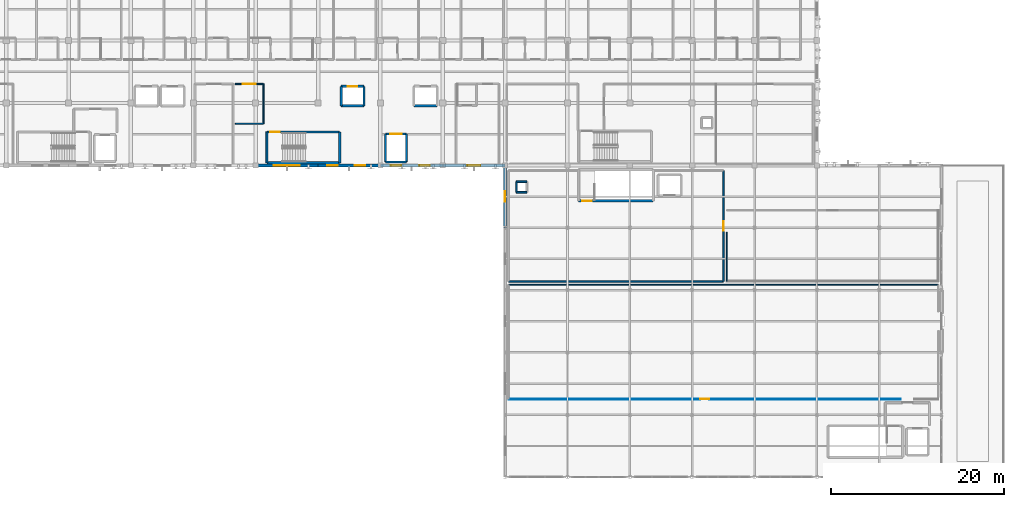
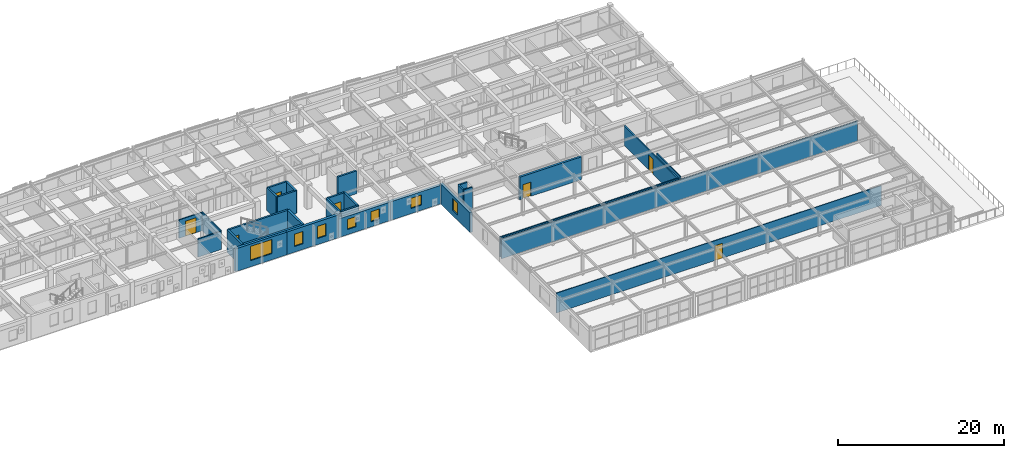
# One storey, part 62 of 73: 30 walls, 7 doors, 7 windows, 14 openings.
"""IFC4 building model written with IfcOpenShell, lengths in metres."""

import ifcopenshell
import ifcopenshell.guid

model = None  # the IFC model being written
_history = None  # IfcOwnerHistory: only IFC2X3 demands one
_inside = {}  # id of a spatial element -> (the spatial element, [elements in it])
_under = {}  # id of a project, library or spatial element -> (it, [spatial elements below it])
_declared = {}  # id of a project -> (the project, [libraries it declares])
_typed = {}  # id of a type object -> (the type object, [elements of that type])
_made_of = {}  # id of a material, layer set ... -> (it, [elements and type objects made of it])


def new_model(schema):
    """Start an empty IFC model of exactly this schema.

    Asked for "IFC4X3", IfcOpenShell would pick the latest addendum, in which some entities
    have other attributes; the version numbers below select the first issue.
    IFC2X3 requires an IfcOwnerHistory on every rooted entity: one is made here for all.
    """
    global model, _history
    if schema == "IFC4X3":
        model = ifcopenshell.file(schema_version=(4, 3, 0, 0))
    else:
        model = ifcopenshell.file(schema=schema)
    _inside.clear()
    _under.clear()
    _declared.clear()
    _typed.clear()
    _made_of.clear()
    _history = None
    if model.schema == "IFC2X3":
        org = make("IfcOrganization", Name="unknown")
        user = make(
            "IfcPersonAndOrganization",
            ThePerson=make("IfcPerson", FamilyName="unknown"),
            TheOrganization=org,
        )
        app = make(
            "IfcApplication",
            ApplicationDeveloper=org,
            Version="unknown",
            ApplicationFullName="unknown",
            ApplicationIdentifier="unknown",
        )
        _history = make(
            "IfcOwnerHistory",
            OwningUser=user,
            OwningApplication=app,
            ChangeAction="ADDED",
            CreationDate=0,
        )
    return model


def make(cls, **values):
    """One entity of the class cls with the attributes given. An attribute that is None is left unset."""
    return model.create_entity(
        cls, **{name: value for name, value in values.items() if value is not None}
    )


def rooted(cls, **values):
    """An entity with a GlobalId (a new one), such as an element, a storey or a relation."""
    return make(cls, GlobalId=ifcopenshell.guid.new(), OwnerHistory=_history, **values)


def si_unit(unit_type, name, prefix=None):
    """IfcSIUnit, for example si_unit("LENGTHUNIT", "METRE", prefix="MILLI")."""
    return make("IfcSIUnit", UnitType=unit_type, Prefix=prefix, Name=name)


def assignment(units):
    """IfcUnitAssignment: the units of a project."""
    return None if units is None else make("IfcUnitAssignment", Units=units)


def point(xyz):
    """IfcCartesianPoint."""
    return None if xyz is None else make("IfcCartesianPoint", Coordinates=xyz)


def direction(xyz):
    """IfcDirection."""
    return None if xyz is None else make("IfcDirection", DirectionRatios=xyz)


def frame(location, z_axis=None, x_axis=None):
    """IfcAxis2Placement3D, a coordinate frame: its origin and axes. An axis left out is left unset."""
    return make(
        "IfcAxis2Placement3D",
        Location=point(location),
        Axis=direction(z_axis),
        RefDirection=direction(x_axis),
    )


def frame_2d(location, x_axis=None):
    """IfcAxis2Placement2D, a coordinate frame in the plane: its origin and x axis."""
    return make(
        "IfcAxis2Placement2D", Location=point(location), RefDirection=direction(x_axis)
    )


def origin():
    """The frame at (0, 0, 0) with its axes left unset."""
    return frame((0.0, 0.0, 0.0))


def place(relative_to, where):
    """IfcLocalPlacement: puts the frame where relative to a parent placement (None: the world)."""
    return make(
        "IfcLocalPlacement", PlacementRelTo=relative_to, RelativePlacement=where
    )


def context(
    kind, dimensions, precision=None, world=None, true_north=None, identifier=None
):
    """IfcGeometricRepresentationContext, for example the 3D "Model" context."""
    return make(
        "IfcGeometricRepresentationContext",
        ContextIdentifier=identifier,
        ContextType=kind,
        CoordinateSpaceDimension=dimensions,
        Precision=precision,
        WorldCoordinateSystem=world,
        TrueNorth=true_north,
    )


def subcontext(parent, identifier, kind, view, scale=None):
    """IfcGeometricRepresentationSubContext, for example "Body" below "Model"."""
    return make(
        "IfcGeometricRepresentationSubContext",
        ContextIdentifier=identifier,
        ContextType=kind,
        ParentContext=parent,
        TargetScale=scale,
        TargetView=view,
    )


def project(units=None, contexts=None):
    """IfcProject with its units and contexts."""
    return rooted(
        "IfcProject",
        Name="project",
        RepresentationContexts=contexts,
        UnitsInContext=assignment(units),
    )


def spatial(cls, under=None, at=None, **own):
    """A site, building, storey or space (cls), placed at a placement, below another one or the project."""
    s = rooted(cls, ObjectPlacement=at, **own)
    if under is not None:
        _under.setdefault(under.id(), (under, []))[1].append(s)
    return s


def profile(cls, at=None, kind="AREA", **sizes):
    """A parametric profile (cls). Its sizes go by their IFC names, for example OverallWidth=200.0."""
    return make(cls, ProfileType=kind, Position=at, **sizes)


def rectangle(**sizes):
    """IfcRectangleProfileDef."""
    return profile("IfcRectangleProfileDef", **sizes)


def extrude(swept, where, along, depth):
    """IfcExtrudedAreaSolid: the profile swept, set in the frame where, extruded along a direction by depth."""
    return make(
        "IfcExtrudedAreaSolid",
        SweptArea=swept,
        Position=where,
        ExtrudedDirection=direction(along),
        Depth=depth,
    )


def shape(context_of_items, identifier, shape_type, items):
    """IfcShapeRepresentation: the items that make up one representation, for example the "Body"."""
    return make(
        "IfcShapeRepresentation",
        ContextOfItems=context_of_items,
        RepresentationIdentifier=identifier,
        RepresentationType=shape_type,
        Items=items,
    )


def material(Name=None, Category=None):
    """IfcMaterial."""
    return make("IfcMaterial", Name=Name, Category=Category)


def layer(
    of_material, thickness, ventilated=None, Name=None, Category=None, Priority=None
):
    """IfcMaterialLayer: one layer of a wall or slab, of a material (None: an air gap)."""
    return make(
        "IfcMaterialLayer",
        Material=of_material,
        LayerThickness=thickness,
        IsVentilated=ventilated,
        Name=Name,
        Category=Category,
        Priority=Priority,
    )


def layer_set(layers, Name=None):
    """IfcMaterialLayerSet."""
    return make("IfcMaterialLayerSet", MaterialLayers=layers, LayerSetName=Name)


def made_of(thing, what):
    """Note that an element or type object is made of a material, layer set ...; save() writes the relation."""
    if what is not None:
        _made_of.setdefault(what.id(), (what, []))[1].append(thing)
    return thing


def type_object(cls, material=None, **own):
    """A type object (cls), such as IfcWallType, which elements share."""
    return made_of(rooted(cls, **own), material)


def element(
    cls,
    number,
    at=None,
    inside=None,
    cuts=None,
    type_object=None,
    material=None,
    context=None,
    identifier="Body",
    shape_type=None,
    held_by="IfcProductDefinitionShape",
    body=None,
    shapes=None,
    **own,
):
    """One element of the class cls, such as IfcWall. Its Tag is "e" and its number.

    at: its placement. inside: the storey or other place that contains it. cuts: it is an
    opening in that element (IfcRelVoidsElement). A single representation is given by context,
    identifier, shape_type and body (its items); several are given by shapes. held_by: the class
    of the entity that holds the representations. save() writes the other relations.
    """
    e = rooted(cls, Tag="e%d" % number, ObjectPlacement=at, **own)
    if body is not None:
        shapes = [shape(context, identifier, shape_type, body)]
    if shapes is not None:
        e.Representation = make(held_by, Representations=shapes)
    if inside is not None:
        _inside.setdefault(inside.id(), (inside, []))[1].append(e)
    if cuts is not None:
        rooted(
            "IfcRelVoidsElement", RelatingBuildingElement=cuts, RelatedOpeningElement=e
        )
    if type_object is not None:
        _typed.setdefault(type_object.id(), (type_object, []))[1].append(e)
    return made_of(e, material)


def fill(opening, filler):
    """IfcRelFillsElement: the door or window that sits in an opening."""
    return rooted(
        "IfcRelFillsElement",
        RelatingOpeningElement=opening,
        RelatedBuildingElement=filler,
    )


def aggregate(whole, parts):
    """IfcRelAggregates: a whole, such as a stair, and the parts it consists of."""
    return rooted("IfcRelAggregates", RelatingObject=whole, RelatedObjects=parts)


def save(model, path):
    """Write the relations noted so far, then the file.

    IfcRelAggregates (storeys below a building ...), IfcRelContainedInSpatialStructure (elements
    in a storey), IfcRelDefinesByType, IfcRelAssociatesMaterial and IfcRelDeclares: one each for
    every whole, place, type object, material and project.
    """
    for whole, parts in _under.values():
        aggregate(whole, parts)
    for where, things in _inside.values():
        rooted(
            "IfcRelContainedInSpatialStructure",
            RelatedElements=things,
            RelatingStructure=where,
        )
    for kind, things in _typed.values():
        rooted("IfcRelDefinesByType", RelatedObjects=things, RelatingType=kind)
    for what, things in _made_of.values():
        rooted("IfcRelAssociatesMaterial", RelatedObjects=things, RelatingMaterial=what)
    for by, libraries in _declared.values():
        rooted("IfcRelDeclares", RelatingContext=by, RelatedDefinitions=libraries)
    model.write(path)


model = new_model("IFC4")

# Units and contexts
model_context = context("Model", 3, precision=1e-05, world=origin(), true_north=direction((0.0, 1.0)))
body_context = subcontext(model_context, "Body", "Model", "MODEL_VIEW")
ifc_project = project(units=[si_unit("LENGTHUNIT", "METRE"), si_unit("AREAUNIT", "SQUARE_METRE"), si_unit("VOLUMEUNIT", "CUBIC_METRE"), si_unit("PLANEANGLEUNIT", "RADIAN"), si_unit("MASSUNIT", "GRAM", prefix="KILO")], contexts=[model_context])

# Site, building, storey
site_placement = place(None, origin())
site = spatial("IfcSite", under=ifc_project, at=site_placement, CompositionType="ELEMENT")
building_placement = place(site_placement, origin())
building = spatial("IfcBuilding", under=site, at=building_placement, Name="Carrowvane Square Congress Hotel", CompositionType="ELEMENT")
storey_placement = place(building_placement, frame((0.0, 0.0, 19.199951171875)))
storey = spatial("IfcBuildingStorey", under=building, at=storey_placement, Name="L04", CompositionType="ELEMENT", Elevation=19.199951171875)

# Wall, opening, window
ifc_material_1 = material(Name="Glazed terracotta rainscreen", Category="masonry")
ifc_layer_1 = layer(ifc_material_1, 0.360107421875)
ifc_layer_set_1 = layer_set([ifc_layer_1], Name="Glazed terracotta rainscreen")
wall_type_1 = type_object("IfcWallType", Name="WL-EXT-TC360", PredefinedType="STANDARD", material=ifc_layer_set_1)
wall_1_placement = place(storey_placement, frame((126.800048828125, 84.60009765625, 0.0), z_axis=(0.0, 0.0, 1.0), x_axis=(0.0, 1.0, 0.0)))
wall_1 = element("IfcWall", 1, at=wall_1_placement, inside=storey, type_object=wall_type_1, Name="L04 exterior facade wall 437", PredefinedType="STANDARD", context=body_context, shape_type="SweptSolid", body=[
    extrude(rectangle(XDim=7.199951171875, YDim=0.360107421875, at=frame_2d((3.60009765625, 0.0))), origin(), (0.0, 0.0, 1.0), 2.925537109375),
])
opening_1_placement = place(wall_1_placement, frame((3.0, 0.0, 0.75)))
opening_1 = element("IfcOpeningElement", 2, at=opening_1_placement, cuts=wall_1, Name="Opening W-01", PredefinedType="OPENING", context=body_context, shape_type="SweptSolid", body=[
    extrude(rectangle(XDim=1.199951171875, YDim=1.800048828125, at=frame_2d((0.60009765625, 0.89990234375))), frame((0.0, 0.18994140625, 0.0), z_axis=(0.0, -1.0, 0.0), x_axis=(1.0, 0.0, 0.0)), (0.0, 0.0, 1.0), 0.380126953125),
])
ifc_material_2 = material(Name="Double-glazed low-E glass", Category="glass")
window_type_1 = type_object("IfcWindowType", Name="WIN-01", PartitioningType="SINGLE_PANEL", PredefinedType="WINDOW", material=ifc_material_2)
window_1_placement = place(opening_1_placement, origin())
window_1 = element("IfcWindow", 3, at=window_1_placement, inside=storey, type_object=window_type_1, Name="L04 facade window 264", OverallHeight=1.800048828125, OverallWidth=1.199951171875, PartitioningType="SINGLE_PANEL", PredefinedType="WINDOW", context=body_context, shape_type="SweptSolid", body=[
    extrude(rectangle(XDim=1.199951171875, YDim=1.800048828125, at=frame_2d((0.60009765625, 0.89990234375))), frame((0.0, 0.030029296875, 0.0), z_axis=(0.0, -1.0, 0.0), x_axis=(1.0, 0.0, 0.0)), (0.0, 0.0, 1.0), 0.06005859375),
])
fill(opening_1, window_1)

wall_2_placement = place(storey_placement, frame((126.800048828125, 91.800048828125, 0.0), z_axis=(0.0, 0.0, 1.0), x_axis=(-1.0, 0.0, 0.0)))
wall_2 = element("IfcWall", 4, at=wall_2_placement, inside=storey, type_object=wall_type_1, Name="L04 exterior facade wall 438", PredefinedType="STANDARD", context=body_context, shape_type="SweptSolid", body=[
    extrude(rectangle(XDim=7.199951171875, YDim=0.360107421875, at=frame_2d((3.60009765625, 0.0))), origin(), (0.0, 0.0, 1.0), 2.735107421875),
])
opening_2_placement = place(wall_2_placement, frame((2.85009765625, 0.0, 0.75)))
opening_2 = element("IfcOpeningElement", 5, at=opening_2_placement, cuts=wall_2, Name="Opening W-15", PredefinedType="OPENING", context=body_context, shape_type="SweptSolid", body=[
    extrude(rectangle(XDim=1.5, YDim=1.5, at=frame_2d((0.75, 0.75))), frame((0.0, 0.18994140625, 0.0), z_axis=(0.0, -1.0, 0.0), x_axis=(1.0, 0.0, 0.0)), (0.0, 0.0, 1.0), 0.380126953125),
])
ifc_material_3 = material(Name="Double-glazed low-E glass", Category="glass")
window_type_2 = type_object("IfcWindowType", Name="WIN-15", PartitioningType="SINGLE_PANEL", PredefinedType="WINDOW", material=ifc_material_3)
window_2_placement = place(opening_2_placement, origin())
window_2 = element("IfcWindow", 6, at=window_2_placement, inside=storey, type_object=window_type_2, Name="L04 facade window 265", OverallHeight=1.5, OverallWidth=1.5, PartitioningType="SINGLE_PANEL", PredefinedType="WINDOW", context=body_context, shape_type="SweptSolid", body=[
    extrude(rectangle(XDim=1.5, YDim=1.5, at=frame_2d((0.75, 0.75))), frame((0.0, 0.030029296875, 0.0), z_axis=(0.0, -1.0, 0.0), x_axis=(1.0, 0.0, 0.0)), (0.0, 0.0, 1.0), 0.06005859375),
])
fill(opening_2, window_2)

# Wall, openings, windows
wall_3_placement = place(storey_placement, frame((119.60009765625, 91.800048828125, 0.0), z_axis=(0.0, 0.0, 1.0), x_axis=(-1.0, 0.0, 0.0)))
wall_3 = element("IfcWall", 7, at=wall_3_placement, inside=storey, type_object=wall_type_1, Name="L04 exterior facade wall 439", PredefinedType="STANDARD", context=body_context, shape_type="SweptSolid", body=[
    extrude(rectangle(XDim=7.2001953125, YDim=0.360107421875, at=frame_2d((3.60009765625, 0.0))), origin(), (0.0, 0.0, 1.0), 2.735107421875),
])
opening_3_placement = place(wall_3_placement, frame((1.487548828125, 0.0, 0.75)))
opening_3 = element("IfcOpeningElement", 8, at=opening_3_placement, cuts=wall_3, Name="Opening W-01", PredefinedType="OPENING", context=body_context, shape_type="SweptSolid", body=[
    extrude(rectangle(XDim=1.199951171875, YDim=1.5, at=frame_2d((0.60009765625, 0.75))), frame((0.0, 0.18994140625, 0.0), z_axis=(0.0, -1.0, 0.0), x_axis=(1.0, 0.0, 0.0)), (0.0, 0.0, 1.0), 0.380126953125),
])
opening_4_placement = place(wall_3_placement, frame((4.800048828125, 0.0, 0.75)))
opening_4 = element("IfcOpeningElement", 9, at=opening_4_placement, cuts=wall_3, Name="Opening W-01", PredefinedType="OPENING", context=body_context, shape_type="SweptSolid", body=[
    extrude(rectangle(XDim=1.199951171875, YDim=1.5, at=frame_2d((0.60009765625, 0.75))), frame((0.0, 0.18994140625, 0.0), z_axis=(0.0, -1.0, 0.0), x_axis=(1.0, 0.0, 0.0)), (0.0, 0.0, 1.0), 0.380126953125),
])
window_3_placement = place(opening_3_placement, origin())
window_3 = element("IfcWindow", 10, at=window_3_placement, inside=storey, type_object=window_type_1, Name="L04 facade window 266", OverallHeight=1.5, OverallWidth=1.199951171875, PartitioningType="SINGLE_PANEL", PredefinedType="WINDOW", context=body_context, shape_type="SweptSolid", body=[
    extrude(rectangle(XDim=1.199951171875, YDim=1.5, at=frame_2d((0.60009765625, 0.75))), frame((0.0, 0.030029296875, 0.0), z_axis=(0.0, -1.0, 0.0), x_axis=(1.0, 0.0, 0.0)), (0.0, 0.0, 1.0), 0.06005859375),
])
fill(opening_3, window_3)
window_4_placement = place(opening_4_placement, origin())
window_4 = element("IfcWindow", 11, at=window_4_placement, inside=storey, type_object=window_type_1, Name="L04 split-bay facade window WIN-L04-0266-1", OverallHeight=1.5, OverallWidth=1.199951171875, PartitioningType="SINGLE_PANEL", PredefinedType="WINDOW", context=body_context, shape_type="SweptSolid", body=[
    extrude(rectangle(XDim=1.199951171875, YDim=1.5, at=frame_2d((0.60009765625, 0.75))), frame((0.0, 0.030029296875, 0.0), z_axis=(0.0, -1.0, 0.0), x_axis=(1.0, 0.0, 0.0)), (0.0, 0.0, 1.0), 0.06005859375),
])
fill(opening_4, window_4)

wall_4_placement = place(storey_placement, frame((112.39990234375, 91.800048828125, 0.0), z_axis=(0.0, 0.0, 1.0), x_axis=(-1.0, 0.0, 0.0)))
wall_4 = element("IfcWall", 12, at=wall_4_placement, inside=storey, type_object=wall_type_1, Name="L04 exterior facade wall 440", PredefinedType="STANDARD", context=body_context, shape_type="SweptSolid", body=[
    extrude(rectangle(XDim=7.199951171875, YDim=0.360107421875, at=frame_2d((3.60009765625, 0.0))), origin(), (0.0, 0.0, 1.0), 3.35009765625),
])
opening_5_placement = place(wall_4_placement, frame((1.75, 0.0, 0.89990234375)))
opening_5 = element("IfcOpeningElement", 13, at=opening_5_placement, cuts=wall_4, Name="Opening W-01", PredefinedType="OPENING", context=body_context, shape_type="SweptSolid", body=[
    extrude(rectangle(XDim=1.199951171875, YDim=1.800048828125, at=frame_2d((0.60009765625, 0.89990234375))), frame((0.0, 0.18994140625, 0.0), z_axis=(0.0, -1.0, 0.0), x_axis=(1.0, 0.0, 0.0)), (0.0, 0.0, 1.0), 0.380126953125),
])
opening_6_placement = place(wall_4_placement, frame((4.949951171875, 0.0, 0.85009765625)))
opening_6 = element("IfcOpeningElement", 14, at=opening_6_placement, cuts=wall_4, Name="Opening W-01", PredefinedType="OPENING", context=body_context, shape_type="SweptSolid", body=[
    extrude(rectangle(XDim=1.199951171875, YDim=1.800048828125, at=frame_2d((0.60009765625, 0.89990234375))), frame((0.0, 0.18994140625, 0.0), z_axis=(0.0, -1.0, 0.0), x_axis=(1.0, 0.0, 0.0)), (0.0, 0.0, 1.0), 0.380126953125),
])
window_5_placement = place(opening_5_placement, origin())
window_5 = element("IfcWindow", 15, at=window_5_placement, inside=storey, type_object=window_type_1, Name="L04 facade window 267", OverallHeight=1.800048828125, OverallWidth=1.199951171875, PartitioningType="SINGLE_PANEL", PredefinedType="WINDOW", context=body_context, shape_type="SweptSolid", body=[
    extrude(rectangle(XDim=1.199951171875, YDim=1.800048828125, at=frame_2d((0.60009765625, 0.89990234375))), frame((0.0, 0.030029296875, 0.0), z_axis=(0.0, -1.0, 0.0), x_axis=(1.0, 0.0, 0.0)), (0.0, 0.0, 1.0), 0.06005859375),
])
fill(opening_5, window_5)
window_6_placement = place(opening_6_placement, origin())
window_6 = element("IfcWindow", 16, at=window_6_placement, inside=storey, type_object=window_type_1, Name="L04 guest bedroom window 268", OverallHeight=1.800048828125, OverallWidth=1.199951171875, PartitioningType="SINGLE_PANEL", PredefinedType="WINDOW", context=body_context, shape_type="SweptSolid", body=[
    extrude(rectangle(XDim=1.199951171875, YDim=1.800048828125, at=frame_2d((0.60009765625, 0.89990234375))), frame((0.0, 0.030029296875, 0.0), z_axis=(0.0, -1.0, 0.0), x_axis=(1.0, 0.0, 0.0)), (0.0, 0.0, 1.0), 0.06005859375),
])
fill(opening_6, window_6)

# Wall, opening, window
wall_5_placement = place(storey_placement, frame((105.199951171875, 91.800048828125, 0.0), z_axis=(0.0, 0.0, 1.0), x_axis=(-1.0, 0.0, 0.0)))
wall_5 = element("IfcWall", 17, at=wall_5_placement, inside=storey, type_object=wall_type_1, Name="L04 exterior facade wall 441", PredefinedType="STANDARD", context=body_context, shape_type="SweptSolid", body=[
    extrude(rectangle(XDim=7.199951171875, YDim=0.360107421875, at=frame_2d((3.60009765625, 0.0))), origin(), (0.0, 0.0, 1.0), 3.35009765625),
])
opening_7_placement = place(wall_5_placement, frame((2.10009765625, 0.0, 0.89990234375)))
opening_7 = element("IfcOpeningElement", 18, at=opening_7_placement, cuts=wall_5, Name="Opening W-14", PredefinedType="OPENING", context=body_context, shape_type="SweptSolid", body=[
    extrude(rectangle(XDim=3.0, YDim=2.10009765625, at=frame_2d((1.5, 1.050048828125))), frame((0.0, 0.18994140625, 0.0), z_axis=(0.0, -1.0, 0.0), x_axis=(1.0, 0.0, 0.0)), (0.0, 0.0, 1.0), 0.380126953125),
])
ifc_material_4 = material(Name="Double-glazed low-E glass", Category="glass")
window_type_3 = type_object("IfcWindowType", Name="WIN-14", PartitioningType="SINGLE_PANEL", PredefinedType="WINDOW", material=ifc_material_4)
window_7_placement = place(opening_7_placement, origin())
window_7 = element("IfcWindow", 19, at=window_7_placement, inside=storey, type_object=window_type_3, Name="L04 facade window 269", OverallHeight=2.10009765625, OverallWidth=3.0, PartitioningType="SINGLE_PANEL", PredefinedType="WINDOW", context=body_context, shape_type="SweptSolid", body=[
    extrude(rectangle(XDim=3.0, YDim=2.10009765625, at=frame_2d((1.5, 1.050048828125))), frame((0.0, 0.030029296875, 0.0), z_axis=(0.0, -1.0, 0.0), x_axis=(1.0, 0.0, 0.0)), (0.0, 0.0, 1.0), 0.06005859375),
])
fill(opening_7, window_7)

# Wall, opening, door
ifc_material_5 = material(Name="Acoustic gypsum board", Category="gypsum")
ifc_layer_2 = layer(ifc_material_5, 0.155029296875)
ifc_layer_set_2 = layer_set([ifc_layer_2], Name="Acoustic gypsum board")
wall_type_2 = type_object("IfcWallType", Name="WL-FIR-155", PredefinedType="PARTITIONING", material=ifc_layer_set_2)
wall_6_placement = place(storey_placement, frame((95.64990234375, 101.199951171875, 0.0), z_axis=(0.0, 0.0, 1.0), x_axis=(1.0, 0.0, 0.0)))
wall_6 = element("IfcWall", 20, at=wall_6_placement, inside=storey, type_object=wall_type_2, Name="L04 L04 Accessible Guest WC partition", PredefinedType="PARTITIONING", context=body_context, shape_type="SweptSolid", body=[
    extrude(rectangle(XDim=3.25, YDim=0.155029296875, at=frame_2d((1.625, 0.0))), origin(), (0.0, 0.0, 1.0), 2.68505859375),
])
opening_8_placement = place(wall_6_placement, frame((0.875, 0.0, 0.0)))
opening_8 = element("IfcOpeningElement", 21, at=opening_8_placement, cuts=wall_6, Name="Opening ID-11", PredefinedType="OPENING", context=body_context, shape_type="SweptSolid", body=[
    extrude(rectangle(XDim=1.5, YDim=2.199951171875, at=frame_2d((0.75, 1.10009765625))), frame((0.0, 0.08740234375, 0.0), z_axis=(0.0, -1.0, 0.0), x_axis=(1.0, 0.0, 0.0)), (0.0, 0.0, 1.0), 0.175048828125),
])
ifc_material_6 = material(Name="European oak timber", Category="wood")
door_type_1 = type_object("IfcDoorType", Name="DR-INT-1500x2200", OperationType="DOUBLE_DOOR_SINGLE_SWING", PredefinedType="DOOR", material=ifc_material_6)
door_1_placement = place(opening_8_placement, origin())
door_1 = element("IfcDoor", 22, at=door_1_placement, inside=storey, type_object=door_type_1, Name="L04 L04 Accessible Guest WC entrance door", OperationType="DOUBLE_DOOR_SINGLE_SWING", OverallHeight=2.199951171875, OverallWidth=1.5, PredefinedType="DOOR", context=body_context, shape_type="SweptSolid", body=[
    extrude(rectangle(XDim=1.5, YDim=2.199951171875, at=frame_2d((0.75, 1.10009765625))), frame((0.0, 0.02490234375, 0.0), z_axis=(0.0, -1.0, 0.0), x_axis=(1.0, 0.0, 0.0)), (0.0, 0.0, 1.0), 0.050048828125),
])
fill(opening_8, door_1)

# Wall
ifc_material_7 = material(Name="Acoustic gypsum board", Category="gypsum")
ifc_layer_3 = layer(ifc_material_7, 0.169921875)
ifc_layer_set_3 = layer_set([ifc_layer_3], Name="Acoustic gypsum board")
wall_type_3 = type_object("IfcWallType", Name="WL-FIR-170", PredefinedType="PARTITIONING", material=ifc_layer_set_3)
wall_7_placement = place(storey_placement, frame((152.0, 78.39990234375, 0.0), z_axis=(0.0, 0.0, 1.0), x_axis=(-1.0, 0.0, 0.0)))
element("IfcWall", 23, at=wall_7_placement, inside=storey, type_object=wall_type_3, Name="L04 Sky Bar Tapas Kitchen and Cellar partition", PredefinedType="PARTITIONING", context=body_context, shape_type="SweptSolid", body=[
    extrude(rectangle(XDim=24.800048828125, YDim=0.169921875, at=frame_2d((12.39990234375, 0.0))), origin(), (0.0, 0.0, 1.0), 2.925537109375),
])

# Wall, opening, door
ifc_material_8 = material(Name="Acoustic gypsum board", Category="gypsum")
ifc_layer_4 = layer(ifc_material_8, 0.18505859375)
ifc_layer_set_4 = layer_set([ifc_layer_4], Name="Acoustic gypsum board")
wall_type_4 = type_object("IfcWallType", Name="WL-FIR-185", PredefinedType="PARTITIONING", material=ifc_layer_set_4)
wall_8_placement = place(storey_placement, frame((152.0, 91.199951171875, 0.0), z_axis=(0.0, 0.0, 1.0), x_axis=(0.0, -1.0, 0.0)))
wall_8 = element("IfcWall", 24, at=wall_8_placement, inside=storey, type_object=wall_type_4, Name="L04 Sky Bar Tapas Kitchen and Cellar partition", PredefinedType="PARTITIONING", context=body_context, shape_type="SweptSolid", body=[
    extrude(rectangle(XDim=12.800048828125, YDim=0.18505859375, at=frame_2d((6.39990234375, 0.0))), origin(), (0.0, 0.0, 1.0), 2.925537109375),
])
opening_9_placement = place(wall_8_placement, frame((5.85009765625, 0.0, 0.0)))
opening_9 = element("IfcOpeningElement", 25, at=opening_9_placement, cuts=wall_8, Name="Opening ID-22", PredefinedType="OPENING", context=body_context, shape_type="SweptSolid", body=[
    extrude(rectangle(XDim=1.10009765625, YDim=2.179931640625, at=frame_2d((0.550048828125, 1.08984375))), frame((0.0, 0.1025390625, 0.0), z_axis=(0.0, -1.0, 0.0), x_axis=(1.0, 0.0, 0.0)), (0.0, 0.0, 1.0), 0.205078125),
])
ifc_material_9 = material(Name="European oak timber", Category="wood")
door_type_2 = type_object("IfcDoorType", Name="DR-INT-1100x2180", OperationType="NOTDEFINED", PredefinedType="DOOR", material=ifc_material_9)
door_2_placement = place(opening_9_placement, origin())
door_2 = element("IfcDoor", 26, at=door_2_placement, inside=storey, type_object=door_type_2, Name="L04 Sky Bar Tapas Kitchen and Cellar entrance door", OperationType="SINGLE_SWING_RIGHT", OverallHeight=2.179931640625, OverallWidth=1.10009765625, PredefinedType="DOOR", context=body_context, shape_type="SweptSolid", body=[
    extrude(rectangle(XDim=1.10009765625, YDim=2.179931640625, at=frame_2d((0.550048828125, 1.08984375))), frame((0.0, 0.02490234375, 0.0), z_axis=(0.0, -1.0, 0.0), x_axis=(1.0, 0.0, 0.0)), (0.0, 0.0, 1.0), 0.050048828125),
])
fill(opening_9, door_2)

# Walls
ifc_material_10 = material(Name="Standing-seam zinc cladding", Category="metal")
ifc_layer_5 = layer(ifc_material_10, 0.195068359375)
ifc_layer_set_5 = layer_set([ifc_layer_5], Name="Standing-seam zinc cladding")
wall_type_5 = type_object("IfcWallType", Name="WL-PAR-195", PredefinedType="PARAPET", material=ifc_layer_set_5)
for number, where, z_axis, x_axis, name in (
    (27, (128.10009765625, 88.699951171875, 0.0), (0.0, 0.0, 1.0), (1.0, 0.0, 0.0), "L04 service riser RSR-V3 enclosure S"),
    (28, (129.300048828125, 89.89990234375, 0.0), (0.0, 0.0, 1.0), (-1.0, 0.0, 0.0), "L04 service riser RSR-V3 enclosure N"),
    (29, (128.10009765625, 89.89990234375, 0.0), (0.0, 0.0, 1.0), (0.0, -1.0, 0.0), "L04 service riser RSR-V3 enclosure W"),
):
    element("IfcWall", number, at=place(storey_placement, frame(where, z_axis=z_axis, x_axis=x_axis)), inside=storey, type_object=wall_type_5, Name=name, PredefinedType="PARAPET", context=body_context, shape_type="SweptSolid", body=[
        extrude(rectangle(XDim=1.199951171875, YDim=0.195068359375, at=frame_2d((0.60009765625, 0.0))), origin(), (0.0, 0.0, 1.0), 3.35009765625),
    ])

# Wall, opening, door
ifc_material_11 = material(Name="Acoustic gypsum board", Category="gypsum")
ifc_layer_6 = layer(ifc_material_11, 0.097900390625)
ifc_layer_set_6 = layer_set([ifc_layer_6], Name="Acoustic gypsum board")
wall_type_6 = type_object("IfcWallType", Name="WL-PRT-098", PredefinedType="PARTITIONING", material=ifc_layer_set_6)
wall_9_placement = place(storey_placement, frame((172.469970703125, 64.800048828125, 0.0), z_axis=(0.0, 0.0, 1.0), x_axis=(-1.0, 0.0, 0.0)))
wall_9 = element("IfcWall", 30, at=wall_9_placement, inside=storey, type_object=wall_type_6, Name="L04 Carrowvane Rooftop Sky Bar and Lounge partition", PredefinedType="PARTITIONING", context=body_context, shape_type="SweptSolid", body=[
    extrude(rectangle(XDim=45.27001953125, YDim=0.097900390625, at=frame_2d((22.635009765625, 0.0))), origin(), (0.0, 0.0, 1.0), 2.925537109375),
])
opening_10_placement = place(wall_9_placement, frame((22.110107421875, 0.0, 0.0)))
opening_10 = element("IfcOpeningElement", 31, at=opening_10_placement, cuts=wall_9, Name="Opening ID-21", PredefinedType="OPENING", context=body_context, shape_type="SweptSolid", body=[
    extrude(rectangle(XDim=1.050048828125, YDim=2.179931640625, at=frame_2d((0.52490234375, 1.08984375))), frame((0.0, 0.058837890625, 0.0), z_axis=(0.0, -1.0, 0.0), x_axis=(1.0, 0.0, 0.0)), (0.0, 0.0, 1.0), 0.117919921875),
])
ifc_material_12 = material(Name="European oak timber", Category="wood")
door_type_3 = type_object("IfcDoorType", Name="DR-INT-1050x2180", OperationType="NOTDEFINED", PredefinedType="DOOR", material=ifc_material_12)
door_3_placement = place(opening_10_placement, origin())
door_3 = element("IfcDoor", 32, at=door_3_placement, inside=storey, type_object=door_type_3, Name="L04 Carrowvane Rooftop Sky Bar and Lounge entrance door", OperationType="SINGLE_SWING_LEFT", OverallHeight=2.179931640625, OverallWidth=1.050048828125, PredefinedType="DOOR", context=body_context, shape_type="SweptSolid", body=[
    extrude(rectangle(XDim=1.050048828125, YDim=2.179931640625, at=frame_2d((0.52490234375, 1.08984375))), frame((0.0, 0.02490234375, 0.0), z_axis=(0.0, -1.0, 0.0), x_axis=(1.0, 0.0, 0.0)), (0.0, 0.0, 1.0), 0.050048828125),
])
fill(opening_10, door_3)

# Walls
ifc_material_13 = material(Name="Acoustic gypsum board", Category="gypsum")
ifc_layer_7 = layer(ifc_material_13, 0.1279296875)
ifc_layer_set_7 = layer_set([ifc_layer_7], Name="Acoustic gypsum board")
wall_type_7 = type_object("IfcWallType", Name="WL-PRT-128", PredefinedType="PARTITIONING", material=ifc_layer_set_7)
wall_10_placement = place(storey_placement, frame((152.39990234375, 78.39990234375, 0.0), z_axis=(0.0, 0.0, 1.0), x_axis=(0.0, 1.0, 0.0)))
element("IfcWall", 33, at=wall_10_placement, inside=storey, type_object=wall_type_7, Name="L04 Sky Bar Public and Accessible Toilets partition", PredefinedType="PARTITIONING", context=body_context, shape_type="SweptSolid", body=[
    extrude(rectangle(XDim=5.670166015625, YDim=0.1279296875, at=frame_2d((2.8349609375, 0.0))), origin(), (0.0, 0.0, 1.0), 3.028564453125),
])
ifc_material_14 = material(Name="Acoustic gypsum board", Category="gypsum")
ifc_layer_8 = layer(ifc_material_14, 0.137939453125)
ifc_layer_set_8 = layer_set([ifc_layer_8], Name="Acoustic gypsum board")
wall_type_8 = type_object("IfcWallType", Name="WL-PRT-138", PredefinedType="PARTITIONING", material=ifc_layer_set_8)
wall_11_placement = place(storey_placement, frame((98.89990234375, 96.60009765625, 0.0), z_axis=(0.0, 0.0, 1.0), x_axis=(-1.0, 0.0, 0.0)))
element("IfcWall", 34, at=wall_11_placement, inside=storey, type_object=wall_type_8, Name="L04 L04 Accessible Guest WC partition", PredefinedType="PARTITIONING", context=body_context, shape_type="SweptSolid", body=[
    extrude(rectangle(XDim=3.25, YDim=0.137939453125, at=frame_2d((1.625, 0.0))), origin(), (0.0, 0.0, 1.0), 2.68505859375),
])
wall_12_placement = place(storey_placement, frame((127.199951171875, 78.0, 0.0), z_axis=(0.0, 0.0, 1.0), x_axis=(1.0, 0.0, 0.0)))
element("IfcWall", 35, at=wall_12_placement, inside=storey, type_object=wall_type_8, Name="L04 Carrowvane Rooftop Sky Bar and Lounge partition", PredefinedType="PARTITIONING", context=body_context, shape_type="SweptSolid", body=[
    extrude(rectangle(XDim=49.60009765625, YDim=0.137939453125, at=frame_2d((24.800048828125, 0.0))), origin(), (0.0, 0.0, 1.0), 2.925537109375),
])
ifc_material_15 = material(Name="Acoustic gypsum board", Category="gypsum")
ifc_layer_9 = layer(ifc_material_15, 0.14794921875)
ifc_layer_set_9 = layer_set([ifc_layer_9], Name="Acoustic gypsum board")
wall_type_9 = type_object("IfcWallType", Name="WL-PRT-148", PredefinedType="PARTITIONING", material=ifc_layer_set_9)
wall_13_placement = place(storey_placement, frame((98.89990234375, 101.199951171875, 0.0), z_axis=(0.0, 0.0, 1.0), x_axis=(0.0, -1.0, 0.0)))
element("IfcWall", 36, at=wall_13_placement, inside=storey, type_object=wall_type_9, Name="L04 L04 Accessible Guest WC partition", PredefinedType="PARTITIONING", context=body_context, shape_type="SweptSolid", body=[
    extrude(rectangle(XDim=4.599853515625, YDim=0.14794921875, at=frame_2d((2.2998046875, 0.0))), origin(), (0.0, 0.0, 1.0), 2.735107421875),
])
ifc_material_16 = material(Name="Concrete C40/50", Category="concrete")
ifc_layer_10 = layer(ifc_material_16, 0.22509765625)
ifc_layer_set_10 = layer_set([ifc_layer_10], Name="Concrete C40/50")
wall_type_10 = type_object("IfcWallType", Name="WL-SHR-225", PredefinedType="SHEAR", material=ifc_layer_set_10)
wall_14_placement = place(storey_placement, frame((99.300048828125, 95.659912109375, 0.0), z_axis=(0.0, 0.0, 1.0), x_axis=(0.0, -1.0, 0.0)))
element("IfcWall", 37, at=wall_14_placement, inside=storey, type_object=wall_type_10, Name="L04 ST3 core wall west", PredefinedType="SHEAR", context=body_context, shape_type="SweptSolid", body=[
    extrude(rectangle(XDim=3.559814453125, YDim=0.22509765625, at=frame_2d((1.77978515625, 0.0))), origin(), (0.0, 0.0, 1.0), 3.35009765625),
])

# Wall, opening, door
ifc_material_17 = material(Name="Concrete C40/50", Category="concrete")
ifc_layer_11 = layer(ifc_material_17, 0.25)
ifc_layer_set_11 = layer_set([ifc_layer_11], Name="Concrete C40/50")
wall_type_11 = type_object("IfcWallType", Name="WL-SHR-250", PredefinedType="SHEAR", material=ifc_layer_set_11)
wall_15_placement = place(storey_placement, frame((107.699951171875, 95.659912109375, 0.0), z_axis=(0.0, 0.0, 1.0), x_axis=(-1.0, 0.0, 0.0)))
wall_15 = element("IfcWall", 38, at=wall_15_placement, inside=storey, type_object=wall_type_11, Name="L04 ST3 core wall north", PredefinedType="SHEAR", context=body_context, shape_type="SweptSolid", body=[
    extrude(rectangle(XDim=8.39990234375, YDim=0.25, at=frame_2d((4.199951171875, 0.0))), origin(), (0.0, 0.0, 1.0), 3.35009765625),
])
opening_11_placement = place(wall_15_placement, frame((6.909912109375, 0.0, 0.0)))
opening_11 = element("IfcOpeningElement", 39, at=opening_11_placement, cuts=wall_15, Name="Opening FD-01", PredefinedType="OPENING", context=body_context, shape_type="SweptSolid", body=[
    extrude(rectangle(XDim=1.10009765625, YDim=2.10009765625, at=frame_2d((0.550048828125, 1.050048828125))), frame((0.0, 0.135009765625, 0.0), z_axis=(0.0, -1.0, 0.0), x_axis=(1.0, 0.0, 0.0)), (0.0, 0.0, 1.0), 0.27001953125),
])
ifc_material_18 = material(Name="European oak timber", Category="wood")
door_type_4 = type_object("IfcDoorType", Name="DR-FD60-1100x2100", OperationType="NOTDEFINED", PredefinedType="DOOR", material=ifc_material_18)
door_4_placement = place(opening_11_placement, origin())
door_4 = element("IfcDoor", 40, at=door_4_placement, inside=storey, type_object=door_type_4, Name="L04 ST3 fire door", OperationType="SINGLE_SWING_RIGHT", OverallHeight=2.10009765625, OverallWidth=1.10009765625, PredefinedType="DOOR", context=body_context, shape_type="SweptSolid", body=[
    extrude(rectangle(XDim=1.10009765625, YDim=2.10009765625, at=frame_2d((0.550048828125, 1.050048828125))), frame((0.0, 0.02490234375, 0.0), z_axis=(0.0, -1.0, 0.0), x_axis=(1.0, 0.0, 0.0)), (0.0, 0.0, 1.0), 0.050048828125),
])
fill(opening_11, door_4)

# Walls
wall_16_placement = place(storey_placement, frame((107.875, 98.675048828125, 0.0), z_axis=(0.0, 0.0, 1.0), x_axis=(1.0, 0.0, 0.0)))
element("IfcWall", 41, at=wall_16_placement, inside=storey, type_object=wall_type_11, Name="L04 HL-3 shaft wall south", PredefinedType="SHEAR", context=body_context, shape_type="SweptSolid", body=[
    extrude(rectangle(XDim=2.64990234375, YDim=0.25, at=frame_2d((1.324951171875, 0.0))), origin(), (0.0, 0.0, 1.0), 3.35009765625),
])
wall_17_placement = place(storey_placement, frame((110.52490234375, 98.675048828125, 0.0), z_axis=(0.0, 0.0, 1.0), x_axis=(0.0, 1.0, 0.0)))
element("IfcWall", 42, at=wall_17_placement, inside=storey, type_object=wall_type_11, Name="L04 HL-3 shaft wall east", PredefinedType="SHEAR", context=body_context, shape_type="SweptSolid", body=[
    extrude(rectangle(XDim=2.25, YDim=0.25, at=frame_2d((1.125, 0.0))), origin(), (0.0, 0.0, 1.0), 3.35009765625),
])

# Wall, opening, door
wall_18_placement = place(storey_placement, frame((110.52490234375, 100.925048828125, 0.0), z_axis=(0.0, 0.0, 1.0), x_axis=(-1.0, 0.0, 0.0)))
wall_18 = element("IfcWall", 43, at=wall_18_placement, inside=storey, type_object=wall_type_11, Name="L04 HL-3 shaft wall north", PredefinedType="SHEAR", context=body_context, shape_type="SweptSolid", body=[
    extrude(rectangle(XDim=2.64990234375, YDim=0.25, at=frame_2d((1.324951171875, 0.0))), origin(), (0.0, 0.0, 1.0), 3.35009765625),
])
opening_12_placement = place(wall_18_placement, frame((0.77490234375, 0.0, 0.0)))
opening_12 = element("IfcOpeningElement", 44, at=opening_12_placement, cuts=wall_18, Name="Opening LD-HL-3", PredefinedType="OPENING", context=body_context, shape_type="SweptSolid", body=[
    extrude(rectangle(XDim=1.10009765625, YDim=2.14990234375, at=frame_2d((0.550048828125, 1.074951171875))), frame((0.0, 0.135009765625, 0.0), z_axis=(0.0, -1.0, 0.0), x_axis=(1.0, 0.0, 0.0)), (0.0, 0.0, 1.0), 0.27001953125),
])
ifc_material_19 = material(Name="Stainless steel 316", Category="steel")
door_type_5 = type_object("IfcDoorType", Name="DR-LD-1100x2150", OperationType="DOUBLE_DOOR_SLIDING", PredefinedType="DOOR", material=ifc_material_19)
door_5_placement = place(opening_12_placement, origin())
door_5 = element("IfcDoor", 45, at=door_5_placement, inside=storey, type_object=door_type_5, Name="L04 HL-3 sliding lift landing door", OperationType="DOUBLE_DOOR_SLIDING", OverallHeight=2.14990234375, OverallWidth=1.10009765625, PredefinedType="DOOR", context=body_context, shape_type="SweptSolid", body=[
    extrude(rectangle(XDim=1.10009765625, YDim=2.14990234375, at=frame_2d((0.550048828125, 1.074951171875))), frame((0.0, 0.02490234375, 0.0), z_axis=(0.0, -1.0, 0.0), x_axis=(1.0, 0.0, 0.0)), (0.0, 0.0, 1.0), 0.050048828125),
])
fill(opening_12, door_5)

# Walls
wall_19_placement = place(storey_placement, frame((107.875, 100.925048828125, 0.0), z_axis=(0.0, 0.0, 1.0), x_axis=(0.0, -1.0, 0.0)))
element("IfcWall", 46, at=wall_19_placement, inside=storey, type_object=wall_type_11, Name="L04 HL-3 shaft wall west", PredefinedType="SHEAR", context=body_context, shape_type="SweptSolid", body=[
    extrude(rectangle(XDim=2.25, YDim=0.25, at=frame_2d((1.125, 0.0))), origin(), (0.0, 0.0, 1.0), 3.35009765625),
])
wall_20_placement = place(storey_placement, frame((116.27490234375, 98.675048828125, 0.0), z_axis=(0.0, 0.0, 1.0), x_axis=(1.0, 0.0, 0.0)))
element("IfcWall", 47, at=wall_20_placement, inside=storey, type_object=wall_type_11, Name="L04 HL-4 shaft wall south", PredefinedType="SHEAR", context=body_context, shape_type="SweptSolid", body=[
    extrude(rectangle(XDim=2.650146484375, YDim=0.25, at=frame_2d((1.3251953125, 0.0))), origin(), (0.0, 0.0, 1.0), 3.35009765625),
])
wall_21_placement = place(storey_placement, frame((112.97509765625, 92.175048828125, 0.0), z_axis=(0.0, 0.0, 1.0), x_axis=(1.0, 0.0, 0.0)))
element("IfcWall", 48, at=wall_21_placement, inside=storey, type_object=wall_type_11, Name="L04 SL-2 shaft wall south", PredefinedType="SHEAR", context=body_context, shape_type="SweptSolid", body=[
    extrude(rectangle(XDim=2.449951171875, YDim=0.25, at=frame_2d((1.22509765625, 0.0))), origin(), (0.0, 0.0, 1.0), 3.35009765625),
])
wall_22_placement = place(storey_placement, frame((115.425048828125, 92.175048828125, 0.0), z_axis=(0.0, 0.0, 1.0), x_axis=(0.0, 1.0, 0.0)))
element("IfcWall", 49, at=wall_22_placement, inside=storey, type_object=wall_type_11, Name="L04 SL-2 shaft wall east", PredefinedType="SHEAR", context=body_context, shape_type="SweptSolid", body=[
    extrude(rectangle(XDim=3.25, YDim=0.25, at=frame_2d((1.625, 0.0))), origin(), (0.0, 0.0, 1.0), 3.35009765625),
])

# Wall, opening, door
wall_23_placement = place(storey_placement, frame((115.425048828125, 95.425048828125, 0.0), z_axis=(0.0, 0.0, 1.0), x_axis=(-1.0, 0.0, 0.0)))
wall_23 = element("IfcWall", 50, at=wall_23_placement, inside=storey, type_object=wall_type_11, Name="L04 SL-2 shaft wall north", PredefinedType="SHEAR", context=body_context, shape_type="SweptSolid", body=[
    extrude(rectangle(XDim=2.449951171875, YDim=0.25, at=frame_2d((1.22509765625, 0.0))), origin(), (0.0, 0.0, 1.0), 3.35009765625),
])
opening_13_placement = place(wall_23_placement, frame((0.550048828125, 0.0, 0.0)))
opening_13 = element("IfcOpeningElement", 51, at=opening_13_placement, cuts=wall_23, Name="Opening LD-SL-2", PredefinedType="OPENING", context=body_context, shape_type="SweptSolid", body=[
    extrude(rectangle(XDim=1.35009765625, YDim=2.199951171875, at=frame_2d((0.675048828125, 1.10009765625))), frame((0.0, 0.135009765625, 0.0), z_axis=(0.0, -1.0, 0.0), x_axis=(1.0, 0.0, 0.0)), (0.0, 0.0, 1.0), 0.27001953125),
])
ifc_material_20 = material(Name="Stainless steel 316", Category="steel")
door_type_6 = type_object("IfcDoorType", Name="DR-LD-1350x2200", OperationType="DOUBLE_DOOR_SLIDING", PredefinedType="DOOR", material=ifc_material_20)
door_6_placement = place(opening_13_placement, origin())
door_6 = element("IfcDoor", 52, at=door_6_placement, inside=storey, type_object=door_type_6, Name="L04 SL-2 sliding lift landing door", OperationType="DOUBLE_DOOR_SLIDING", OverallHeight=2.199951171875, OverallWidth=1.35009765625, PredefinedType="DOOR", context=body_context, shape_type="SweptSolid", body=[
    extrude(rectangle(XDim=1.35009765625, YDim=2.199951171875, at=frame_2d((0.675048828125, 1.10009765625))), frame((0.0, 0.02490234375, 0.0), z_axis=(0.0, -1.0, 0.0), x_axis=(1.0, 0.0, 0.0)), (0.0, 0.0, 1.0), 0.050048828125),
])
fill(opening_13, door_6)

# Walls
wall_24_placement = place(storey_placement, frame((112.97509765625, 95.425048828125, 0.0), z_axis=(0.0, 0.0, 1.0), x_axis=(0.0, -1.0, 0.0)))
element("IfcWall", 53, at=wall_24_placement, inside=storey, type_object=wall_type_11, Name="L04 SL-2 shaft wall west", PredefinedType="SHEAR", context=body_context, shape_type="SweptSolid", body=[
    extrude(rectangle(XDim=3.25, YDim=0.25, at=frame_2d((1.625, 0.0))), origin(), (0.0, 0.0, 1.0), 3.35009765625),
])
ifc_material_21 = material(Name="Concrete C40/50", Category="concrete")
ifc_layer_12 = layer(ifc_material_21, 0.27490234375)
ifc_layer_set_12 = layer_set([ifc_layer_12], Name="Concrete C40/50")
wall_type_12 = type_object("IfcWallType", Name="WL-SHR-275", PredefinedType="SHEAR", material=ifc_layer_set_12)
wall_25_placement = place(storey_placement, frame((107.699951171875, 92.10009765625, 0.0), z_axis=(0.0, 0.0, 1.0), x_axis=(0.0, 1.0, 0.0)))
element("IfcWall", 54, at=wall_25_placement, inside=storey, type_object=wall_type_12, Name="L04 ST3 core wall east", PredefinedType="SHEAR", context=body_context, shape_type="SweptSolid", body=[
    extrude(rectangle(XDim=3.559814453125, YDim=0.27490234375, at=frame_2d((1.77978515625, 0.0))), origin(), (0.0, 0.0, 1.0), 3.35009765625),
])
ifc_material_22 = material(Name="Concrete C40/50", Category="concrete")
ifc_layer_13 = layer(ifc_material_22, 0.300048828125)
ifc_layer_set_13 = layer_set([ifc_layer_13], Name="Concrete C40/50")
wall_type_13 = type_object("IfcWallType", Name="WL-SHR-300", PredefinedType="SHEAR", material=ifc_layer_set_13)
wall_26_placement = place(storey_placement, frame((99.300048828125, 92.10009765625, 0.0), z_axis=(0.0, 0.0, 1.0), x_axis=(1.0, 0.0, 0.0)))
element("IfcWall", 55, at=wall_26_placement, inside=storey, type_object=wall_type_13, Name="L04 ST3 core wall south", PredefinedType="SHEAR", context=body_context, shape_type="SweptSolid", body=[
    extrude(rectangle(XDim=8.39990234375, YDim=0.300048828125, at=frame_2d((4.199951171875, 0.0))), origin(), (0.0, 0.0, 1.0), 3.35009765625),
])

# Wall, opening, door
wall_27_placement = place(storey_placement, frame((135.300048828125, 87.699951171875, 0.0), z_axis=(0.0, 0.0, 1.0), x_axis=(1.0, 0.0, 0.0)))
wall_27 = element("IfcWall", 56, at=wall_27_placement, inside=storey, type_object=wall_type_13, Name="L04 ST8 core wall south", PredefinedType="SHEAR", context=body_context, shape_type="SweptSolid", body=[
    extrude(rectangle(XDim=8.599853515625, YDim=0.300048828125, at=frame_2d((4.2998046875, 0.0))), origin(), (0.0, 0.0, 1.0), 3.35009765625),
])
opening_14_placement = place(wall_27_placement, frame((0.425048828125, 0.0, 0.0)))
opening_14 = element("IfcOpeningElement", 57, at=opening_14_placement, cuts=wall_27, Name="Opening FD-01", PredefinedType="OPENING", context=body_context, shape_type="SweptSolid", body=[
    extrude(rectangle(XDim=1.10009765625, YDim=2.10009765625, at=frame_2d((0.550048828125, 1.050048828125))), frame((0.0, 0.159912109375, 0.0), z_axis=(0.0, -1.0, 0.0), x_axis=(1.0, 0.0, 0.0)), (0.0, 0.0, 1.0), 0.320068359375),
])
door_7_placement = place(opening_14_placement, origin())
door_7 = element("IfcDoor", 58, at=door_7_placement, inside=storey, type_object=door_type_4, Name="L04 ST8 fire door", OperationType="SINGLE_SWING_LEFT", OverallHeight=2.10009765625, OverallWidth=1.10009765625, PredefinedType="DOOR", context=body_context, shape_type="SweptSolid", body=[
    extrude(rectangle(XDim=1.10009765625, YDim=2.10009765625, at=frame_2d((0.550048828125, 1.050048828125))), frame((0.0, 0.02490234375, 0.0), z_axis=(0.0, -1.0, 0.0), x_axis=(1.0, 0.0, 0.0)), (0.0, 0.0, 1.0), 0.050048828125),
])
fill(opening_14, door_7)

save(model, "model.ifc")
